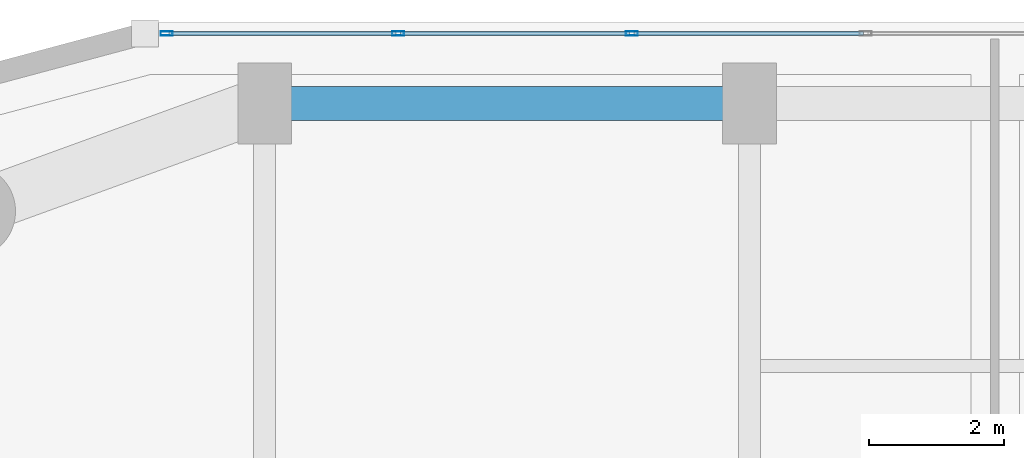
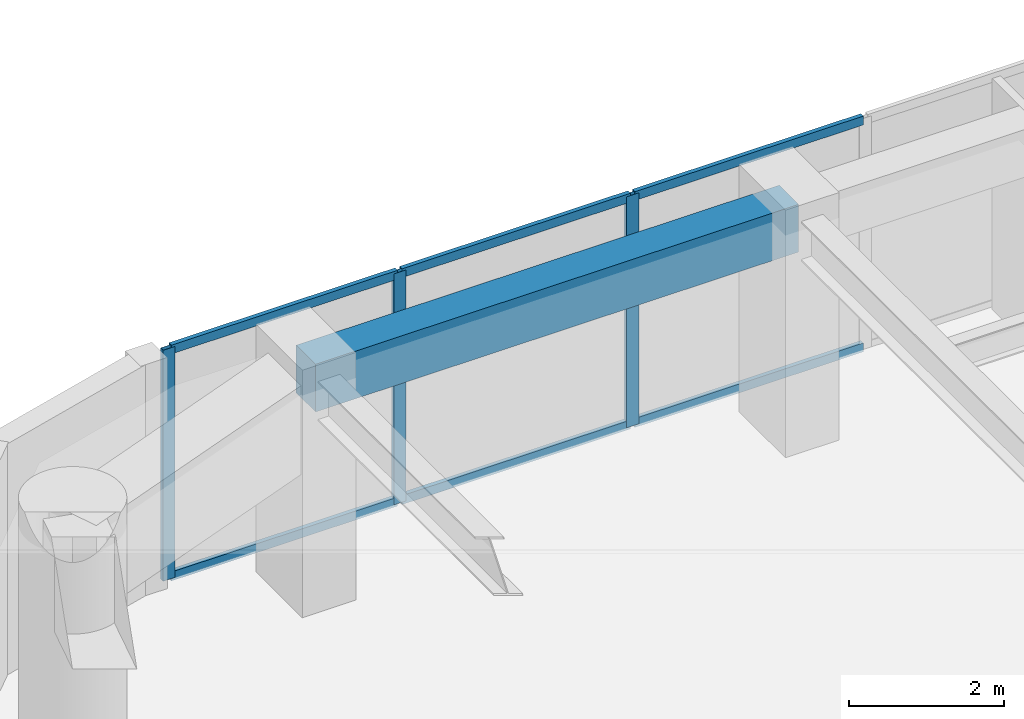
# One storey, part 13 of 24: 9 members, 1 beam, 1 element without a shape of its own.
"""IFC4 building model written with IfcOpenShell, lengths in metres."""

from ifc_helpers import new_model, si_unit, direction, frame, origin, origin_2d, place, context, subcontext, project, spatial, rectangle, hollow_rectangle, extrude, material, layer, layer_set, material_profile, profile_set, type_object, element, aggregate, save


model = new_model("IFC4")

# Units and contexts
model_context = context("Model", 3, precision=1e-05, world=origin(), true_north=direction((0.0, 1.0)))
body_context = subcontext(model_context, "Body", "Model", "MODEL_VIEW")
ifc_project = project(units=[si_unit("LENGTHUNIT", "METRE"), si_unit("AREAUNIT", "SQUARE_METRE"), si_unit("VOLUMEUNIT", "CUBIC_METRE"), si_unit("PLANEANGLEUNIT", "RADIAN"), si_unit("MASSUNIT", "GRAM", prefix="KILO")], contexts=[model_context])

# Site, building, storey
site_placement = place(None, origin())
site = spatial("IfcSite", under=ifc_project, at=site_placement, CompositionType="ELEMENT")
building_placement = place(site_placement, origin())
building = spatial("IfcBuilding", under=site, at=building_placement, Name="Kiyonajd Concourse Tower", CompositionType="ELEMENT")
storey_placement = place(building_placement, frame((0.0, 0.0, 113.10009765625)))
storey = spatial("IfcBuildingStorey", under=building, at=storey_placement, Name="L29", CompositionType="ELEMENT", Elevation=113.10009765625)

# Beam
ifc_material_1 = material(Name="Precast concrete C50/60", Category="concrete")
ifc_material_profile_1 = material_profile(ifc_material_1, rectangle(XDim=0.5, YDim=0.75, at=origin_2d()), Name="RCBM-500x750")
ifc_profile_set_1 = profile_set([ifc_material_profile_1], Name="Precast concrete C50/60")
beam_type = type_object("IfcBeamType", Name="BM-SPAN-RC", PredefinedType="SPANDREL", material=ifc_profile_set_1)
beam_placement = place(storey_placement, frame((32.39990234375, 61.199951171875, 3.264892578125), z_axis=(-1.0, 0.0, 0.0), x_axis=(0.0, -1.0, 0.0)))
element("IfcBeam", 1, at=beam_placement, inside=storey, type_object=beam_type, Name="L29 Perimeter Bundled Tube Spandrel", PredefinedType="SPANDREL", context=body_context, shape_type="SweptSolid", body=[
    extrude(rectangle(XDim=0.5, YDim=0.75, at=origin_2d()), origin(), (0.0, 0.0, 1.0), 7.199951171875),
])

# Curtain wall, members
ifc_material_2 = material(Name="Thermally Broken Anodised Aluminium", Category="aluminium")
ifc_layer = layer(ifc_material_2, 0.179931640625)
ifc_layer_set = layer_set([ifc_layer], Name="Thermally Broken Anodised Aluminium")
curtain_wall_type = type_object("IfcCurtainWallType", Name="CW-SYS-03", PredefinedType="NOTDEFINED", material=ifc_layer_set)
curtain_wall_placement = place(storey_placement, origin())
curtain_wall = element("IfcCurtainWall", 2, at=curtain_wall_placement, inside=storey, type_object=curtain_wall_type, Name="L29 Unitised Curtain Wall CW3", PredefinedType="NOTDEFINED")
ifc_material_profile_2 = material_profile(ifc_material_2, hollow_rectangle(XDim=0.06494140625, YDim=0.179931640625, WallThickness=0.00390625, at=origin_2d()), Name="MULL-65x180")
ifc_profile_set_2 = profile_set([ifc_material_profile_2], Name="Thermally Broken Anodised Aluminium")
member_type_1 = type_object("IfcMemberType", Name="MB-CW-MULL1", PredefinedType="MULLION", material=ifc_profile_set_2)
member_1_placement = place(storey_placement, frame((23.74365234375, 62.239990234375, 0.0), z_axis=(0.0, 0.0, 1.0), x_axis=(0.0, 1.0, 0.0)))
member_1 = element("IfcMember", 3, at=member_1_placement, type_object=member_type_1, Name="CW3 mullion 1", PredefinedType="MULLION", context=body_context, shape_type="SweptSolid", body=[
    extrude(hollow_rectangle(XDim=0.06494140625, YDim=0.179931640625, WallThickness=0.00390625, at=origin_2d()), origin(), (0.0, 0.0, 1.0), 3.639892578125),
])
member_2_placement = place(storey_placement, frame((27.181884765625, 62.239990234375, 0.0), z_axis=(0.0, 0.0, 1.0), x_axis=(0.0, 1.0, 0.0)))
member_2 = element("IfcMember", 4, at=member_2_placement, type_object=member_type_1, Name="CW3 mullion 2", PredefinedType="MULLION", context=body_context, shape_type="SweptSolid", body=[
    extrude(hollow_rectangle(XDim=0.06494140625, YDim=0.179931640625, WallThickness=0.00390625, at=origin_2d()), origin(), (0.0, 0.0, 1.0), 3.639892578125),
])
member_3_placement = place(storey_placement, frame((30.652587890625, 62.239990234375, 0.0), z_axis=(0.0, 0.0, 1.0), x_axis=(0.0, 1.0, 0.0)))
member_3 = element("IfcMember", 5, at=member_3_placement, type_object=member_type_1, Name="CW3 mullion 3", PredefinedType="MULLION", context=body_context, shape_type="SweptSolid", body=[
    extrude(hollow_rectangle(XDim=0.06494140625, YDim=0.179931640625, WallThickness=0.00390625, at=origin_2d()), origin(), (0.0, 0.0, 1.0), 3.639892578125),
])
ifc_material_profile_3 = material_profile(ifc_material_2, hollow_rectangle(XDim=0.06494140625, YDim=0.139892578125, WallThickness=0.00390625, at=origin_2d()), Name="TRAN-65x140")
ifc_profile_set_3 = profile_set([ifc_material_profile_3], Name="Thermally Broken Anodised Aluminium")
member_type_2 = type_object("IfcMemberType", Name="MB-CW-TRAN1", PredefinedType="USERDEFINED", material=ifc_profile_set_3)
member_4_placement = place(storey_placement, frame((23.776123046875, 62.239990234375, 0.032470703125), z_axis=(1.0, 0.0, 0.0), x_axis=(0.0, 1.0, 0.0)))
member_4 = element("IfcMember", 6, at=member_4_placement, type_object=member_type_2, Name="CW3 transom 1.1", ObjectType="TRANSOM", PredefinedType="USERDEFINED", context=body_context, shape_type="SweptSolid", body=[
    extrude(hollow_rectangle(XDim=0.06494140625, YDim=0.139892578125, WallThickness=0.00390625, at=origin_2d()), origin(), (0.0, 0.0, 1.0), 3.373291015625),
])
member_5_placement = place(storey_placement, frame((23.776123046875, 62.239990234375, 3.607421875), z_axis=(1.0, 0.0, 0.0), x_axis=(0.0, 1.0, 0.0)))
member_5 = element("IfcMember", 7, at=member_5_placement, type_object=member_type_2, Name="CW3 transom 1.2", ObjectType="TRANSOM", PredefinedType="USERDEFINED", context=body_context, shape_type="SweptSolid", body=[
    extrude(hollow_rectangle(XDim=0.06494140625, YDim=0.139892578125, WallThickness=0.00390625, at=origin_2d()), origin(), (0.0, 0.0, 1.0), 3.373291015625),
])
member_6_placement = place(storey_placement, frame((27.21435546875, 62.239990234375, 0.032470703125), z_axis=(1.0, 0.0, 0.0), x_axis=(0.0, 1.0, 0.0)))
member_6 = element("IfcMember", 8, at=member_6_placement, type_object=member_type_2, Name="CW3 transom 2.1", ObjectType="TRANSOM", PredefinedType="USERDEFINED", context=body_context, shape_type="SweptSolid", body=[
    extrude(hollow_rectangle(XDim=0.06494140625, YDim=0.139892578125, WallThickness=0.00390625, at=origin_2d()), origin(), (0.0, 0.0, 1.0), 3.40576171875),
])
member_7_placement = place(storey_placement, frame((27.21435546875, 62.239990234375, 3.607421875), z_axis=(1.0, 0.0, 0.0), x_axis=(0.0, 1.0, 0.0)))
member_7 = element("IfcMember", 9, at=member_7_placement, type_object=member_type_2, Name="CW3 transom 2.2", ObjectType="TRANSOM", PredefinedType="USERDEFINED", context=body_context, shape_type="SweptSolid", body=[
    extrude(hollow_rectangle(XDim=0.06494140625, YDim=0.139892578125, WallThickness=0.00390625, at=origin_2d()), origin(), (0.0, 0.0, 1.0), 3.40576171875),
])
member_8_placement = place(storey_placement, frame((30.68505859375, 62.239990234375, 0.032470703125), z_axis=(1.0, 0.0, 0.0), x_axis=(0.0, 1.0, 0.0)))
member_8 = element("IfcMember", 10, at=member_8_placement, type_object=member_type_2, Name="CW3 transom 3.1", ObjectType="TRANSOM", PredefinedType="USERDEFINED", context=body_context, shape_type="SweptSolid", body=[
    extrude(hollow_rectangle(XDim=0.06494140625, YDim=0.139892578125, WallThickness=0.00390625, at=origin_2d()), origin(), (0.0, 0.0, 1.0), 3.40576171875),
])
member_9_placement = place(storey_placement, frame((30.68505859375, 62.239990234375, 3.607421875), z_axis=(1.0, 0.0, 0.0), x_axis=(0.0, 1.0, 0.0)))
member_9 = element("IfcMember", 11, at=member_9_placement, type_object=member_type_2, Name="CW3 transom 3.2", ObjectType="TRANSOM", PredefinedType="USERDEFINED", context=body_context, shape_type="SweptSolid", body=[
    extrude(hollow_rectangle(XDim=0.06494140625, YDim=0.139892578125, WallThickness=0.00390625, at=origin_2d()), origin(), (0.0, 0.0, 1.0), 3.40576171875),
])
aggregate(curtain_wall, [member_1, member_2, member_3, member_4, member_5, member_6, member_7, member_8, member_9])

save(model, "model.ifc")
